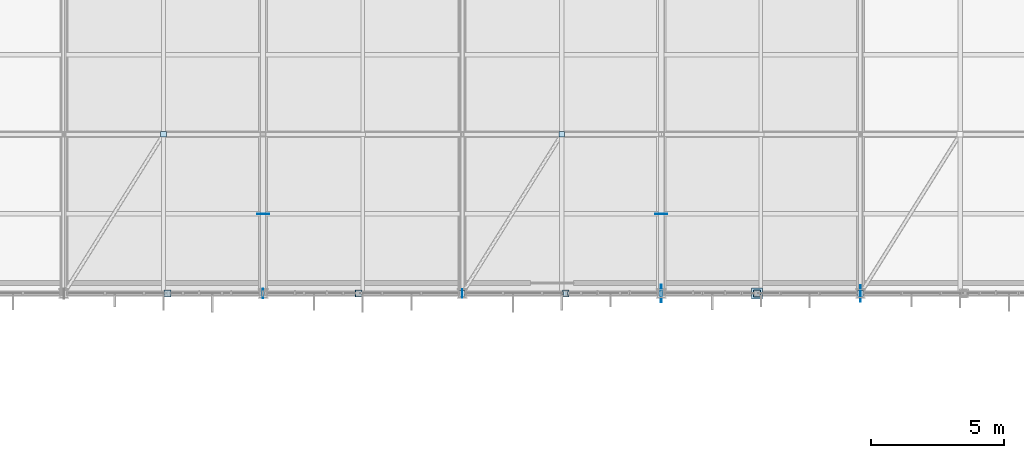
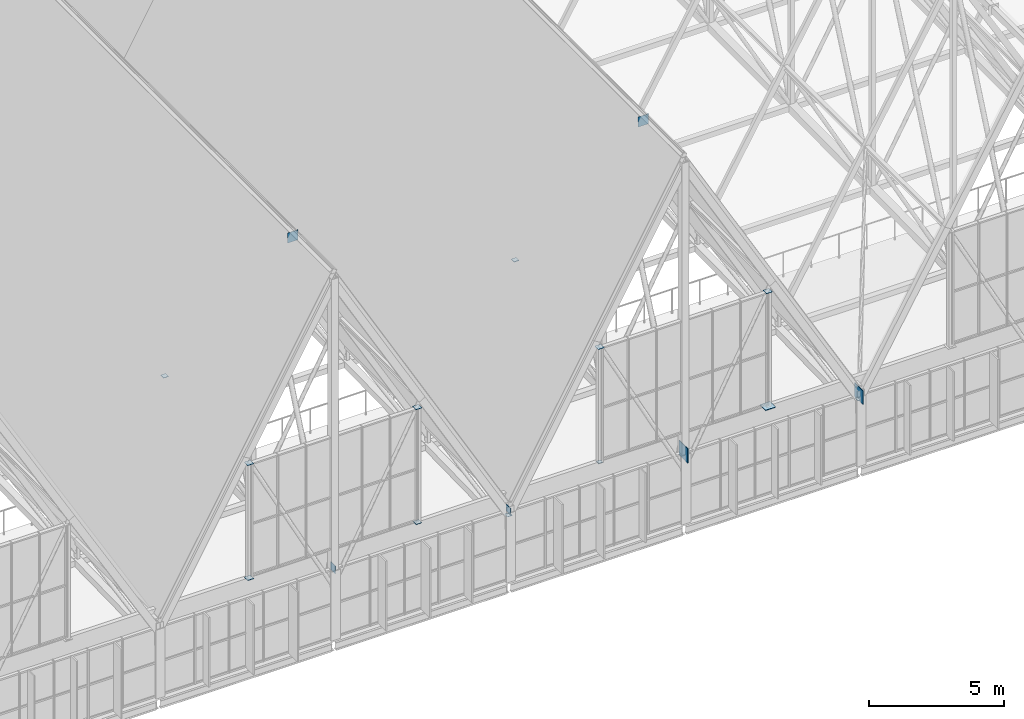
# One storey, part 297 of 324: 18 plates.
"""IFC4 building model written with IfcOpenShell, lengths in metres."""

from ifc_helpers import new_model, si_unit, direction, frame, origin, origin_2d, place, context, subcontext, project, spatial, rectangle, extrude, material, layer, layer_set, type_object, element, save


model = new_model("IFC4")

# Units and contexts
model_context = context("Model", 3, precision=1e-05, world=origin(), true_north=direction((0.0, 1.0)))
body_context = subcontext(model_context, "Body", "Model", "MODEL_VIEW")
ifc_project = project(units=[si_unit("LENGTHUNIT", "METRE"), si_unit("AREAUNIT", "SQUARE_METRE"), si_unit("VOLUMEUNIT", "CUBIC_METRE"), si_unit("PLANEANGLEUNIT", "RADIAN"), si_unit("MASSUNIT", "GRAM", prefix="KILO")], contexts=[model_context])

# Site, building, storey
site_placement = place(None, origin())
site = spatial("IfcSite", under=ifc_project, at=site_placement, CompositionType="ELEMENT")
building_placement = place(site_placement, origin())
building = spatial("IfcBuilding", under=site, at=building_placement, Name="Solvenia Promenade Tram Depot", CompositionType="ELEMENT")
storey_placement = place(building_placement, frame((0.0, 0.0, 4.5)))
storey = spatial("IfcBuildingStorey", under=building, at=storey_placement, Name="L01", CompositionType="ELEMENT", Elevation=4.5)

# Plates
ifc_material = material(Name="Structural steel ASTM A572 Gr. 50", Category="steel")
ifc_layer_1 = layer(ifc_material, 0.02392578125, Name="Structural steel ASTM A572 Gr. 50", Category="steel")
ifc_layer_set_1 = layer_set([ifc_layer_1], Name="Structural steel ASTM A572 Gr. 50")
plate_type_1 = type_object("IfcPlateType", Name="EndCap-CP1", PredefinedType="SHEET", material=ifc_layer_set_1)
plate_1_placement = place(storey_placement, frame((86.10009765625, 66.0, 3.93798828125), z_axis=(0.0, 0.0, 1.0), x_axis=(1.0, 0.0, 0.0)))
element("IfcPlate", 1, at=plate_1_placement, inside=storey, type_object=plate_type_1, Name="Gable Jamb Bottom Cap Plate 024", PredefinedType="SHEET", context=body_context, shape_type="SweptSolid", body=[
    extrude(rectangle(XDim=0.419921875, YDim=0.419921875, at=origin_2d()), origin(), (0.0, 0.0, 1.0), 0.02392578125),
])
ifc_layer_2 = layer(ifc_material, 0.011962890625, Name="Structural steel ASTM A572 Gr. 50", Category="steel")
ifc_layer_set_2 = layer_set([ifc_layer_2], Name="Structural steel ASTM A572 Gr. 50")
plate_type_2 = type_object("IfcPlateType", Name="EndCap-CP12", PredefinedType="SHEET", material=ifc_layer_set_2)
plate_2_placement = place(storey_placement, frame((78.89990234375, 66.0, 3.94384765625), z_axis=(0.0, 0.0, 1.0), x_axis=(1.0, 0.0, 0.0)))
element("IfcPlate", 2, at=plate_2_placement, inside=storey, type_object=plate_type_2, Name="Gable Jamb Bottom Cap Plate 023", PredefinedType="SHEET", context=body_context, shape_type="SweptSolid", body=[
    extrude(rectangle(XDim=0.179931640625, YDim=0.179931640625, at=origin_2d()), origin(), (0.0, 0.0, 1.0), 0.011962890625),
])
ifc_layer_3 = layer(ifc_material, 0.02001953125, Name="Structural steel ASTM A572 Gr. 50", Category="steel")
ifc_layer_set_3 = layer_set([ifc_layer_3], Name="Structural steel ASTM A572 Gr. 50")
plate_type_3 = type_object("IfcPlateType", Name="EndCap-CP4", PredefinedType="SHEET", material=ifc_layer_set_3)
for number, where, z_axis, x_axis, name in (
    (3, (63.89990234375, 66.0, 9.141845703125), (0.0, 0.0, 1.0), (1.0, 0.0, 0.0), "Gable Jamb Top Cap Plate 019"),
    (4, (71.10009765625, 66.0, 9.141845703125), (0.0, 0.0, 1.0), (1.0, 0.0, 0.0), "Gable Jamb Top Cap Plate 020"),
    (5, (78.89990234375, 66.0, 9.141845703125), (0.0, 0.0, 1.0), (1.0, 0.0, 0.0), "Gable Jamb Top Cap Plate 023"),
    (6, (86.10009765625, 66.0, 9.141845703125), (0.0, 0.0, 1.0), (1.0, 0.0, 0.0), "Gable Jamb Top Cap Plate 024"),
):
    element("IfcPlate", number, at=place(storey_placement, frame(where, z_axis=z_axis, x_axis=x_axis)), inside=storey, type_object=plate_type_3, Name=name, PredefinedType="SHEET", context=body_context, shape_type="SweptSolid", body=[
        extrude(rectangle(XDim=0.260009765625, YDim=0.260009765625, at=origin_2d()), origin(), (0.0, 0.0, 1.0), 0.01611328125),
    ])
ifc_layer_4 = layer(ifc_material, 0.01904296875, Name="Structural steel ASTM A572 Gr. 50", Category="steel")
ifc_layer_set_4 = layer_set([ifc_layer_4], Name="Structural steel ASTM A572 Gr. 50")
plate_type_4 = type_object("IfcPlateType", Name="EndCap-CP5", PredefinedType="SHEET", material=ifc_layer_set_4)
for number, where, z_axis, x_axis, name in (
    (7, (63.75, 72.0, 9.49169921875), (0.0, 0.0, 1.0), (1.0, 0.0, 0.0), "Roof Brace Node Plate 009B"),
    (8, (75.0, 66.0, 2.90673828125), (0.0, 0.0, 1.0), (1.0, 0.0, 0.0), "Roof Brace Node Plate 011A"),
    (9, (78.75, 72.0, 9.49169921875), (0.0, 0.0, 1.0), (1.0, 0.0, 0.0), "Roof Brace Node Plate 011B"),
    (10, (90.0, 66.0, 2.91162109375), (0.0, 0.0, 1.0), (1.0, 0.0, 0.0), "Roof Brace Node Plate 013A"),
):
    element("IfcPlate", number, at=place(storey_placement, frame(where, z_axis=z_axis, x_axis=x_axis)), inside=storey, type_object=plate_type_4, Name=name, PredefinedType="SHEET", context=body_context, shape_type="SweptSolid", body=[
        extrude(rectangle(XDim=0.219970703125, YDim=0.219970703125, at=origin_2d()), origin(), (0.0, 0.0, 1.0), 0.01904296875),
    ])
ifc_layer_5 = layer(ifc_material, 0.01611328125, Name="Structural steel ASTM A572 Gr. 50", Category="steel")
ifc_layer_set_5 = layer_set([ifc_layer_5], Name="Structural steel ASTM A572 Gr. 50")
plate_type_5 = type_object("IfcPlateType", Name="EndCap-CP8", PredefinedType="SHEET", material=ifc_layer_set_5)
plate_3_placement = place(storey_placement, frame((63.89990234375, 66.0, 3.94189453125), z_axis=(0.0, 0.0, 1.0), x_axis=(1.0, 0.0, 0.0)))
element("IfcPlate", 11, at=plate_3_placement, inside=storey, type_object=plate_type_5, Name="Gable Jamb Bottom Cap Plate 019", PredefinedType="SHEET", context=body_context, shape_type="SweptSolid", body=[
    extrude(rectangle(XDim=0.260009765625, YDim=0.260009765625, at=origin_2d()), origin(), (0.0, 0.0, 1.0), 0.01611328125),
])
ifc_layer_6 = layer(ifc_material, 0.014892578125, Name="Structural steel ASTM A572 Gr. 50", Category="steel")
ifc_layer_set_6 = layer_set([ifc_layer_6], Name="Structural steel ASTM A572 Gr. 50")
plate_type_6 = type_object("IfcPlateType", Name="EndCap-CP9", PredefinedType="SHEET", material=ifc_layer_set_6)
plate_4_placement = place(storey_placement, frame((71.10009765625, 66.0, 3.9423828125), z_axis=(0.0, 0.0, 1.0), x_axis=(1.0, 0.0, 0.0)))
element("IfcPlate", 12, at=plate_4_placement, inside=storey, type_object=plate_type_6, Name="Gable Jamb Bottom Cap Plate 020", PredefinedType="SHEET", context=body_context, shape_type="SweptSolid", body=[
    extrude(rectangle(XDim=0.239990234375, YDim=0.239990234375, at=origin_2d()), origin(), (0.0, 0.0, 1.0), 0.014892578125),
])
ifc_layer_7 = layer(ifc_material, 0.028076171875, Name="Structural steel ASTM A572 Gr. 50", Category="steel")
ifc_layer_set_7 = layer_set([ifc_layer_7], Name="Structural steel ASTM A572 Gr. 50")
plate_type_7 = type_object("IfcPlateType", Name="Gusset-GP1", PredefinedType="USERDEFINED", material=ifc_layer_set_7)
plate_5_placement = place(storey_placement, frame((82.5, 66.0, 2.824951171875), z_axis=(0.0, 0.0, 1.0), x_axis=(1.0, 0.0, 0.0)))
element("IfcPlate", 13, at=plate_5_placement, inside=storey, type_object=plate_type_7, Name="Arched Truss Shoe Gusset 12S", ObjectType="GUSSET PLATE", PredefinedType="USERDEFINED", context=body_context, shape_type="SweptSolid", body=[
    extrude(rectangle(XDim=0.028076171875, YDim=0.64990234375, at=origin_2d()), origin(), (0.0, 0.0, 1.0), 0.64990234375),
])
ifc_layer_8 = layer(ifc_material, 0.01611328125, Name="Structural steel ASTM A572 Gr. 50", Category="steel")
ifc_layer_set_8 = layer_set([ifc_layer_8], Name="Structural steel ASTM A572 Gr. 50")
plate_type_8 = type_object("IfcPlateType", Name="Gusset-GP11", PredefinedType="USERDEFINED", material=ifc_layer_set_8)
plate_6_placement = place(storey_placement, frame((67.5, 66.0, 2.974853515625), z_axis=(0.0, 0.0, 1.0), x_axis=(1.0, 0.0, 0.0)))
element("IfcPlate", 14, at=plate_6_placement, inside=storey, type_object=plate_type_8, Name="Arched Truss Shoe Gusset 10S", ObjectType="GUSSET PLATE", PredefinedType="USERDEFINED", context=body_context, shape_type="SweptSolid", body=[
    extrude(rectangle(XDim=0.01611328125, YDim=0.35009765625, at=origin_2d()), origin(), (0.0, 0.0, 1.0), 0.35009765625),
])
ifc_layer_9 = layer(ifc_material, 0.014892578125, Name="Structural steel ASTM A572 Gr. 50", Category="steel")
ifc_layer_set_9 = layer_set([ifc_layer_9], Name="Structural steel ASTM A572 Gr. 50")
plate_type_9 = type_object("IfcPlateType", Name="Gusset-GP12", PredefinedType="USERDEFINED", material=ifc_layer_set_9)
plate_7_placement = place(storey_placement, frame((75.0, 66.0, 2.98974609375), z_axis=(0.0, 0.0, 1.0), x_axis=(1.0, 0.0, 0.0)))
element("IfcPlate", 15, at=plate_7_placement, inside=storey, type_object=plate_type_9, Name="Arched Truss Shoe Gusset 11S", ObjectType="GUSSET PLATE", PredefinedType="USERDEFINED", context=body_context, shape_type="SweptSolid", body=[
    extrude(rectangle(XDim=0.014892578125, YDim=0.320068359375, at=origin_2d()), origin(), (0.0, 0.0, 1.0), 0.320068359375),
])
ifc_layer_10 = layer(ifc_material, 0.02587890625, Name="Structural steel ASTM A572 Gr. 50", Category="steel")
ifc_layer_set_10 = layer_set([ifc_layer_10], Name="Structural steel ASTM A572 Gr. 50")
plate_type_10 = type_object("IfcPlateType", Name="Gusset-GP2", PredefinedType="USERDEFINED", material=ifc_layer_set_10)
plate_8_placement = place(storey_placement, frame((90.0, 66.0, 2.83984375), z_axis=(0.0, 0.0, 1.0), x_axis=(1.0, 0.0, 0.0)))
element("IfcPlate", 16, at=plate_8_placement, inside=storey, type_object=plate_type_10, Name="Arched Truss Shoe Gusset 13S", ObjectType="GUSSET PLATE", PredefinedType="USERDEFINED", context=body_context, shape_type="SweptSolid", body=[
    extrude(rectangle(XDim=0.02587890625, YDim=0.6201171875, at=origin_2d()), origin(), (0.0, 0.0, 1.0), 0.6201171875),
])
ifc_layer_11 = layer(ifc_material, 0.02392578125, Name="Structural steel ASTM A572 Gr. 50", Category="steel")
ifc_layer_set_11 = layer_set([ifc_layer_11], Name="Structural steel ASTM A572 Gr. 50")
plate_type_11 = type_object("IfcPlateType", Name="Gusset-GP4", PredefinedType="USERDEFINED", material=ifc_layer_set_11)
for number, where, z_axis, x_axis, name in (
    (17, (67.5, 69.0, 16.09521484375), (0.0, 0.0, 1.0), (1.0, 0.0, 0.0), "Ridge Node Gusset T10-S01"),
    (18, (82.5, 69.0, 16.09521484375), (0.0, 0.0, 1.0), (1.0, 0.0, 0.0), "Ridge Node Gusset T12-S01"),
):
    element("IfcPlate", number, at=place(storey_placement, frame(where, z_axis=z_axis, x_axis=x_axis)), inside=storey, type_object=plate_type_11, Name=name, ObjectType="GUSSET PLATE", PredefinedType="USERDEFINED", context=body_context, shape_type="SweptSolid", body=[
        extrude(rectangle(XDim=0.449951171875, YDim=0.02001953125, at=origin_2d()), origin(), (0.0, 0.0, 1.0), 0.449951171875),
    ])

save(model, "model.ifc")
